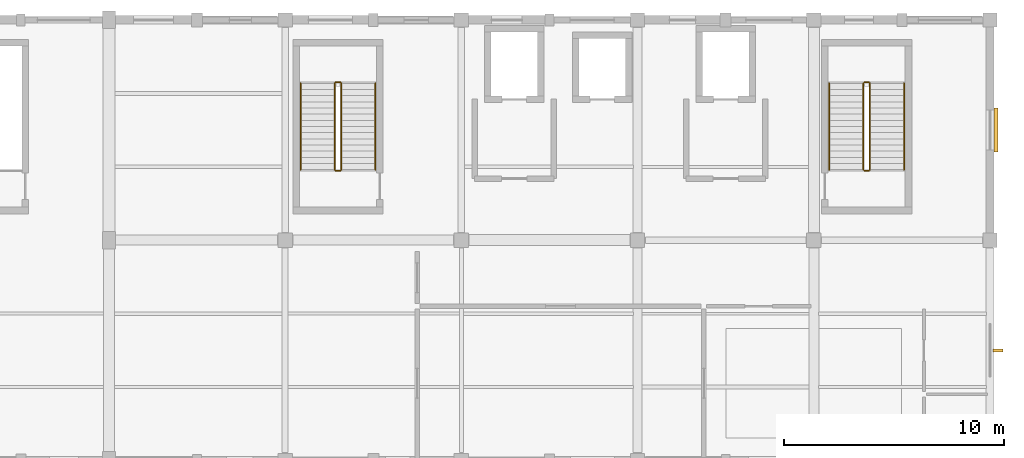
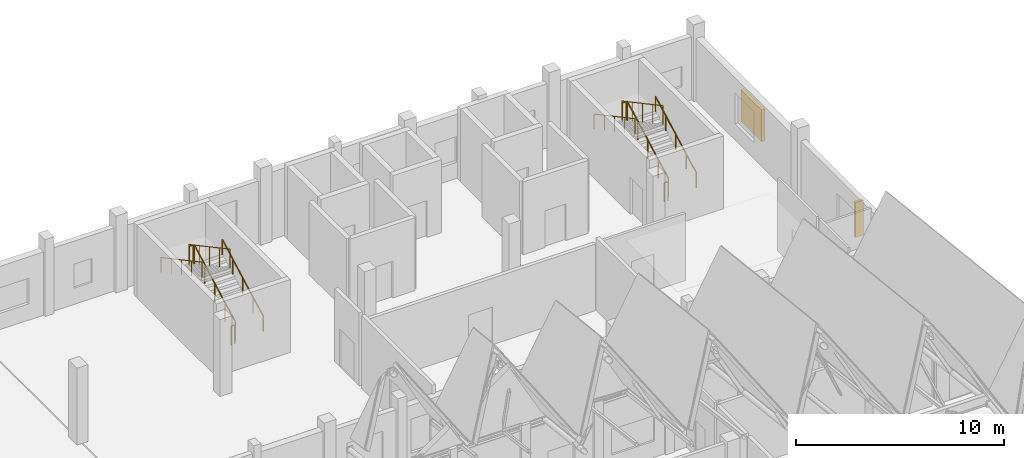
# One storey, part 48 of 48: 12 railings, 2 shading devices.
"""IFC4 building model written with IfcOpenShell, lengths in metres."""

from ifc_helpers import new_model, si_unit, direction, frame, origin, origin_2d, place, context, subcontext, project, spatial, rectangle, circle, extrude, material, type_object, element, save


model = new_model("IFC4")

# Units and contexts
model_context = context("Model", 3, precision=1e-05, world=origin(), true_north=direction((0.0, 1.0)))
body_context = subcontext(model_context, "Body", "Model", "MODEL_VIEW")
ifc_project = project(units=[si_unit("LENGTHUNIT", "METRE"), si_unit("AREAUNIT", "SQUARE_METRE"), si_unit("VOLUMEUNIT", "CUBIC_METRE"), si_unit("PLANEANGLEUNIT", "RADIAN"), si_unit("MASSUNIT", "GRAM", prefix="KILO")], contexts=[model_context])

# Site, building, storey
site_placement = place(None, origin())
site = spatial("IfcSite", under=ifc_project, at=site_placement, CompositionType="ELEMENT")
building_placement = place(site_placement, origin())
building = spatial("IfcBuilding", under=site, at=building_placement, Name="Luwemba Playhouse", CompositionType="ELEMENT")
storey_placement = place(building_placement, frame((0.0, 0.0, 13.800048828125)))
storey = spatial("IfcBuildingStorey", under=building, at=storey_placement, Name="L03", CompositionType="ELEMENT", Elevation=13.800048828125)

# Railings
ifc_material_1 = material(Name="Painted wrought-iron gallery balustrade", Category="steel")
railing_type_1 = type_object("IfcRailingType", Name="RLG-BAL-INT", PredefinedType="BALUSTRADE", material=ifc_material_1)
railing_1_placement = place(storey_placement, frame((142.550048828125, 108.199951171875, 0.14990234375)))
element("IfcRailing", 1, at=railing_1_placement, inside=storey, type_object=railing_type_1, Name="L03 ST-09 stair guard 1", PredefinedType="BALUSTRADE", context=body_context, shape_type="SweptSolid", body=[
    extrude(circle(Radius=0.02392578125, at=origin_2d()), frame((0.0, 0.0, 1.09619140625), z_axis=(0.0, 0.881479153919, 0.472222935917), x_axis=(-1.0, 0.0, 0.0)), (0.0, 0.0, 1.0), 4.447265625),
    extrude(circle(Radius=0.02099609375, at=origin_2d()), origin(), (0.0, 0.0, 1.0), 1.072021484375),
    extrude(circle(Radius=0.02099609375, at=origin_2d()), frame((0.0, 0.97998046875, 0.52490234375)), (0.0, 0.0, 1.0), 1.072021484375),
    extrude(circle(Radius=0.02099609375, at=origin_2d()), frame((0.0, 1.9599609375, 1.050048828125)), (0.0, 0.0, 1.0), 1.072021484375),
    extrude(circle(Radius=0.02099609375, at=origin_2d()), frame((0.0, 2.940185546875, 1.5751953125)), (0.0, 0.0, 1.0), 1.072021484375),
    extrude(circle(Radius=0.02099609375, at=origin_2d()), frame((0.0, 3.920166015625, 2.10009765625)), (0.0, 0.0, 1.0), 1.072021484375),
])
railing_2_placement = place(storey_placement, frame((142.5, 112.169921875, 2.25)))
element("IfcRailing", 2, at=railing_2_placement, inside=storey, type_object=railing_type_1, Name="L03 ST-09 stair guard 2", PredefinedType="BALUSTRADE", context=body_context, shape_type="SweptSolid", body=[
    extrude(circle(Radius=0.02392578125, at=origin_2d()), frame((0.0, 0.0, 1.09619140625), z_axis=(-1.0, 0.0, 0.0), x_axis=(0.0, -1.0, 0.0)), (0.0, 0.0, 1.0), 0.199951171875),
    extrude(circle(Radius=0.02099609375, at=origin_2d()), origin(), (0.0, 0.0, 1.0), 1.072021484375),
    extrude(circle(Radius=0.02099609375, at=origin_2d()), frame((-0.199951171875, 0.0, 0.0)), (0.0, 0.0, 1.0), 1.072021484375),
])
railing_3_placement = place(storey_placement, frame((142.25, 112.1201171875, 2.39990234375)))
element("IfcRailing", 3, at=railing_3_placement, inside=storey, type_object=railing_type_1, Name="L03 ST-09 stair guard 3", PredefinedType="BALUSTRADE", context=body_context, shape_type="SweptSolid", body=[
    extrude(circle(Radius=0.02392578125, at=origin_2d()), frame((0.0, 0.0, 1.09619140625), z_axis=(0.0, -0.881479153919, 0.472222935917), x_axis=(1.0, 0.0, 0.0)), (0.0, 0.0, 1.0), 4.447265625),
    extrude(circle(Radius=0.02099609375, at=origin_2d()), origin(), (0.0, 0.0, 1.0), 1.072021484375),
    extrude(circle(Radius=0.02099609375, at=origin_2d()), frame((0.0, -0.97998046875, 0.52490234375)), (0.0, 0.0, 1.0), 1.072021484375),
    extrude(circle(Radius=0.02099609375, at=origin_2d()), frame((0.0, -1.9599609375, 1.050048828125)), (0.0, 0.0, 1.0), 1.072021484375),
    extrude(circle(Radius=0.02099609375, at=origin_2d()), frame((0.0, -2.940185546875, 1.5751953125)), (0.0, 0.0, 1.0), 1.072021484375),
    extrude(circle(Radius=0.02099609375, at=origin_2d()), frame((0.0, -3.920166015625, 2.10009765625)), (0.0, 0.0, 1.0), 1.072021484375),
])
railing_4_placement = place(storey_placement, frame((142.5, 108.14990234375, 0.0)))
element("IfcRailing", 4, at=railing_4_placement, inside=storey, type_object=railing_type_1, Name="L03 ST-09 stair guard 4", PredefinedType="BALUSTRADE", context=body_context, shape_type="SweptSolid", body=[
    extrude(circle(Radius=0.02392578125, at=origin_2d()), frame((0.0, 0.0, 1.09619140625), z_axis=(-1.0, 0.0, 0.0), x_axis=(0.0, -1.0, 0.0)), (0.0, 0.0, 1.0), 0.199951171875),
    extrude(circle(Radius=0.02099609375, at=origin_2d()), origin(), (0.0, 0.0, 1.0), 1.072021484375),
    extrude(circle(Radius=0.02099609375, at=origin_2d()), frame((-0.199951171875, 0.0, 0.0)), (0.0, 0.0, 1.0), 1.072021484375),
])
railing_5_placement = place(storey_placement, frame((166.550048828125, 108.199951171875, 0.14990234375)))
element("IfcRailing", 5, at=railing_5_placement, inside=storey, type_object=railing_type_1, Name="L03 ST-10 stair guard 1", PredefinedType="BALUSTRADE", context=body_context, shape_type="SweptSolid", body=[
    extrude(circle(Radius=0.02392578125, at=origin_2d()), frame((0.0, 0.0, 1.09619140625), z_axis=(0.0, 0.881479153919, 0.472222935917), x_axis=(-1.0, 0.0, 0.0)), (0.0, 0.0, 1.0), 4.447265625),
    extrude(circle(Radius=0.02099609375, at=origin_2d()), origin(), (0.0, 0.0, 1.0), 1.072021484375),
    extrude(circle(Radius=0.02099609375, at=origin_2d()), frame((0.0, 0.97998046875, 0.52490234375)), (0.0, 0.0, 1.0), 1.072021484375),
    extrude(circle(Radius=0.02099609375, at=origin_2d()), frame((0.0, 1.9599609375, 1.050048828125)), (0.0, 0.0, 1.0), 1.072021484375),
    extrude(circle(Radius=0.02099609375, at=origin_2d()), frame((0.0, 2.940185546875, 1.5751953125)), (0.0, 0.0, 1.0), 1.072021484375),
    extrude(circle(Radius=0.02099609375, at=origin_2d()), frame((0.0, 3.920166015625, 2.10009765625)), (0.0, 0.0, 1.0), 1.072021484375),
])
railing_6_placement = place(storey_placement, frame((166.5, 112.169921875, 2.25)))
element("IfcRailing", 6, at=railing_6_placement, inside=storey, type_object=railing_type_1, Name="L03 ST-10 stair guard 2", PredefinedType="BALUSTRADE", context=body_context, shape_type="SweptSolid", body=[
    extrude(circle(Radius=0.02392578125, at=origin_2d()), frame((0.0, 0.0, 1.09619140625), z_axis=(-1.0, 0.0, 0.0), x_axis=(0.0, -1.0, 0.0)), (0.0, 0.0, 1.0), 0.199951171875),
    extrude(circle(Radius=0.02099609375, at=origin_2d()), origin(), (0.0, 0.0, 1.0), 1.072021484375),
    extrude(circle(Radius=0.02099609375, at=origin_2d()), frame((-0.199951171875, 0.0, 0.0)), (0.0, 0.0, 1.0), 1.072021484375),
])
railing_7_placement = place(storey_placement, frame((166.25, 112.1201171875, 2.39990234375)))
element("IfcRailing", 7, at=railing_7_placement, inside=storey, type_object=railing_type_1, Name="L03 ST-10 stair guard 3", PredefinedType="BALUSTRADE", context=body_context, shape_type="SweptSolid", body=[
    extrude(circle(Radius=0.02392578125, at=origin_2d()), frame((0.0, 0.0, 1.09619140625), z_axis=(0.0, -0.881479153919, 0.472222935917), x_axis=(1.0, 0.0, 0.0)), (0.0, 0.0, 1.0), 4.447265625),
    extrude(circle(Radius=0.02099609375, at=origin_2d()), origin(), (0.0, 0.0, 1.0), 1.072021484375),
    extrude(circle(Radius=0.02099609375, at=origin_2d()), frame((0.0, -0.97998046875, 0.52490234375)), (0.0, 0.0, 1.0), 1.072021484375),
    extrude(circle(Radius=0.02099609375, at=origin_2d()), frame((0.0, -1.9599609375, 1.050048828125)), (0.0, 0.0, 1.0), 1.072021484375),
    extrude(circle(Radius=0.02099609375, at=origin_2d()), frame((0.0, -2.940185546875, 1.5751953125)), (0.0, 0.0, 1.0), 1.072021484375),
    extrude(circle(Radius=0.02099609375, at=origin_2d()), frame((0.0, -3.920166015625, 2.10009765625)), (0.0, 0.0, 1.0), 1.072021484375),
])
railing_8_placement = place(storey_placement, frame((166.5, 108.14990234375, 0.0)))
element("IfcRailing", 8, at=railing_8_placement, inside=storey, type_object=railing_type_1, Name="L03 ST-10 stair guard 4", PredefinedType="BALUSTRADE", context=body_context, shape_type="SweptSolid", body=[
    extrude(circle(Radius=0.02392578125, at=origin_2d()), frame((0.0, 0.0, 1.09619140625), z_axis=(-1.0, 0.0, 0.0), x_axis=(0.0, -1.0, 0.0)), (0.0, 0.0, 1.0), 0.199951171875),
    extrude(circle(Radius=0.02099609375, at=origin_2d()), origin(), (0.0, 0.0, 1.0), 1.072021484375),
    extrude(circle(Radius=0.02099609375, at=origin_2d()), frame((-0.199951171875, 0.0, 0.0)), (0.0, 0.0, 1.0), 1.072021484375),
])
ifc_material_2 = material(Name="Hardwood and bronze handrail", Category="wood")
railing_type_2 = type_object("IfcRailingType", Name="RLG-HR-INT", PredefinedType="HANDRAIL", material=ifc_material_2)
railing_9_placement = place(storey_placement, frame((144.10009765625, 108.199951171875, 0.14990234375)))
element("IfcRailing", 9, at=railing_9_placement, inside=storey, type_object=railing_type_2, Name="L03 ST-09 stair handrail 1", PredefinedType="HANDRAIL", context=body_context, shape_type="SweptSolid", body=[
    extrude(circle(Radius=0.02392578125, at=origin_2d()), frame((0.0, 0.0, 0.8759765625), z_axis=(0.0, 0.881479153919, 0.472222935917), x_axis=(-1.0, 0.0, 0.0)), (0.0, 0.0, 1.0), 4.447265625),
    extrude(circle(Radius=0.02099609375, at=origin_2d()), origin(), (0.0, 0.0, 1.0), 0.851806640625),
    extrude(circle(Radius=0.02099609375, at=origin_2d()), frame((0.0, 0.97998046875, 0.52490234375)), (0.0, 0.0, 1.0), 0.851806640625),
    extrude(circle(Radius=0.02099609375, at=origin_2d()), frame((0.0, 1.9599609375, 1.050048828125)), (0.0, 0.0, 1.0), 0.851806640625),
    extrude(circle(Radius=0.02099609375, at=origin_2d()), frame((0.0, 2.940185546875, 1.5751953125)), (0.0, 0.0, 1.0), 0.851806640625),
    extrude(circle(Radius=0.02099609375, at=origin_2d()), frame((0.0, 3.920166015625, 2.10009765625)), (0.0, 0.0, 1.0), 0.851806640625),
])
railing_10_placement = place(storey_placement, frame((140.699951171875, 112.1201171875, 2.39990234375)))
element("IfcRailing", 10, at=railing_10_placement, inside=storey, type_object=railing_type_2, Name="L03 ST-09 stair handrail 2", PredefinedType="HANDRAIL", context=body_context, shape_type="SweptSolid", body=[
    extrude(circle(Radius=0.02392578125, at=origin_2d()), frame((0.0, 0.0, 0.8759765625), z_axis=(0.0, -0.881479153919, 0.472222935917), x_axis=(1.0, 0.0, 0.0)), (0.0, 0.0, 1.0), 4.447265625),
    extrude(circle(Radius=0.02099609375, at=origin_2d()), origin(), (0.0, 0.0, 1.0), 0.851806640625),
    extrude(circle(Radius=0.02099609375, at=origin_2d()), frame((0.0, -0.97998046875, 0.52490234375)), (0.0, 0.0, 1.0), 0.851806640625),
    extrude(circle(Radius=0.02099609375, at=origin_2d()), frame((0.0, -1.9599609375, 1.050048828125)), (0.0, 0.0, 1.0), 0.851806640625),
    extrude(circle(Radius=0.02099609375, at=origin_2d()), frame((0.0, -2.940185546875, 1.5751953125)), (0.0, 0.0, 1.0), 0.851806640625),
    extrude(circle(Radius=0.02099609375, at=origin_2d()), frame((0.0, -3.920166015625, 2.10009765625)), (0.0, 0.0, 1.0), 0.851806640625),
])
railing_11_placement = place(storey_placement, frame((168.10009765625, 108.199951171875, 0.14990234375)))
element("IfcRailing", 11, at=railing_11_placement, inside=storey, type_object=railing_type_2, Name="L03 ST-10 stair handrail 1", PredefinedType="HANDRAIL", context=body_context, shape_type="SweptSolid", body=[
    extrude(circle(Radius=0.02392578125, at=origin_2d()), frame((0.0, 0.0, 0.8759765625), z_axis=(0.0, 0.881479153919, 0.472222935917), x_axis=(-1.0, 0.0, 0.0)), (0.0, 0.0, 1.0), 4.447265625),
    extrude(circle(Radius=0.02099609375, at=origin_2d()), origin(), (0.0, 0.0, 1.0), 0.851806640625),
    extrude(circle(Radius=0.02099609375, at=origin_2d()), frame((0.0, 0.97998046875, 0.52490234375)), (0.0, 0.0, 1.0), 0.851806640625),
    extrude(circle(Radius=0.02099609375, at=origin_2d()), frame((0.0, 1.9599609375, 1.050048828125)), (0.0, 0.0, 1.0), 0.851806640625),
    extrude(circle(Radius=0.02099609375, at=origin_2d()), frame((0.0, 2.940185546875, 1.5751953125)), (0.0, 0.0, 1.0), 0.851806640625),
    extrude(circle(Radius=0.02099609375, at=origin_2d()), frame((0.0, 3.920166015625, 2.10009765625)), (0.0, 0.0, 1.0), 0.851806640625),
])
railing_12_placement = place(storey_placement, frame((164.699951171875, 112.1201171875, 2.39990234375)))
element("IfcRailing", 12, at=railing_12_placement, inside=storey, type_object=railing_type_2, Name="L03 ST-10 stair handrail 2", PredefinedType="HANDRAIL", context=body_context, shape_type="SweptSolid", body=[
    extrude(circle(Radius=0.02392578125, at=origin_2d()), frame((0.0, 0.0, 0.8759765625), z_axis=(0.0, -0.881479153919, 0.472222935917), x_axis=(1.0, 0.0, 0.0)), (0.0, 0.0, 1.0), 4.447265625),
    extrude(circle(Radius=0.02099609375, at=origin_2d()), origin(), (0.0, 0.0, 1.0), 0.851806640625),
    extrude(circle(Radius=0.02099609375, at=origin_2d()), frame((0.0, -0.97998046875, 0.52490234375)), (0.0, 0.0, 1.0), 0.851806640625),
    extrude(circle(Radius=0.02099609375, at=origin_2d()), frame((0.0, -1.9599609375, 1.050048828125)), (0.0, 0.0, 1.0), 0.851806640625),
    extrude(circle(Radius=0.02099609375, at=origin_2d()), frame((0.0, -2.940185546875, 1.5751953125)), (0.0, 0.0, 1.0), 0.851806640625),
    extrude(circle(Radius=0.02099609375, at=origin_2d()), frame((0.0, -3.920166015625, 2.10009765625)), (0.0, 0.0, 1.0), 0.851806640625),
])

# Shading devices
ifc_material_3 = material(Name="Extruded terracotta brise-soleil fin on steel bracket", Category="masonry")
shading_device_type_1 = type_object("IfcShadingDeviceType", Name="SHD-BRISE", PredefinedType="USERDEFINED", material=ifc_material_3)
shading_device_1_placement = place(storey_placement, frame((172.360107421875, 100.0, 0.82470703125), z_axis=(0.0, 0.0, 1.0), x_axis=(0.0, -1.0, 0.0)))
element("IfcShadingDevice", 13, at=shading_device_1_placement, inside=storey, type_object=shading_device_type_1, Name="L03 terracotta brise-soleil fin 079", ObjectType="TERRACOTTA BRISE SOLEIL", PredefinedType="USERDEFINED", context=body_context, shape_type="SweptSolid", body=[
    extrude(rectangle(XDim=0.139892578125, YDim=0.449951171875, at=origin_2d()), origin(), (0.0, 0.0, 1.0), 2.050048828125),
])
ifc_material_4 = material(Name="Kiln-fired terracotta gelosia louvre screen", Category="masonry")
shading_device_type_2 = type_object("IfcShadingDeviceType", Name="SHD-GELOSIA", PredefinedType="JALOUSIE", material=ifc_material_4)
shading_device_2_placement = place(storey_placement, frame((172.27490234375, 110.0, 0.9248046875), z_axis=(0.0, 0.0, 1.0), x_axis=(0.0, -1.0, 0.0)))
element("IfcShadingDevice", 14, at=shading_device_2_placement, inside=storey, type_object=shading_device_type_2, Name="L03 fired-clay gelosia screen 078", PredefinedType="JALOUSIE", context=body_context, shape_type="SweptSolid", body=[
    extrude(rectangle(XDim=2.0, YDim=0.179931640625, at=origin_2d()), origin(), (0.0, 0.0, 1.0), 1.85009765625),
])

save(model, "model.ifc")
